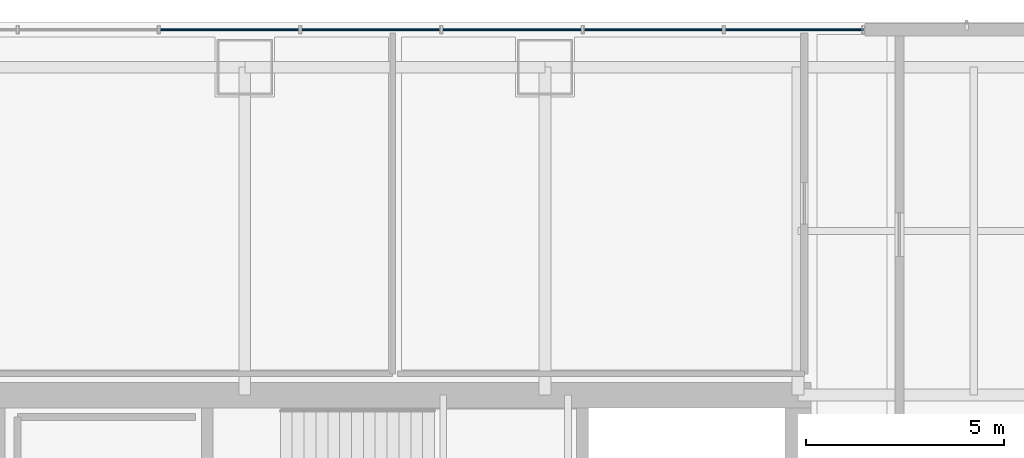
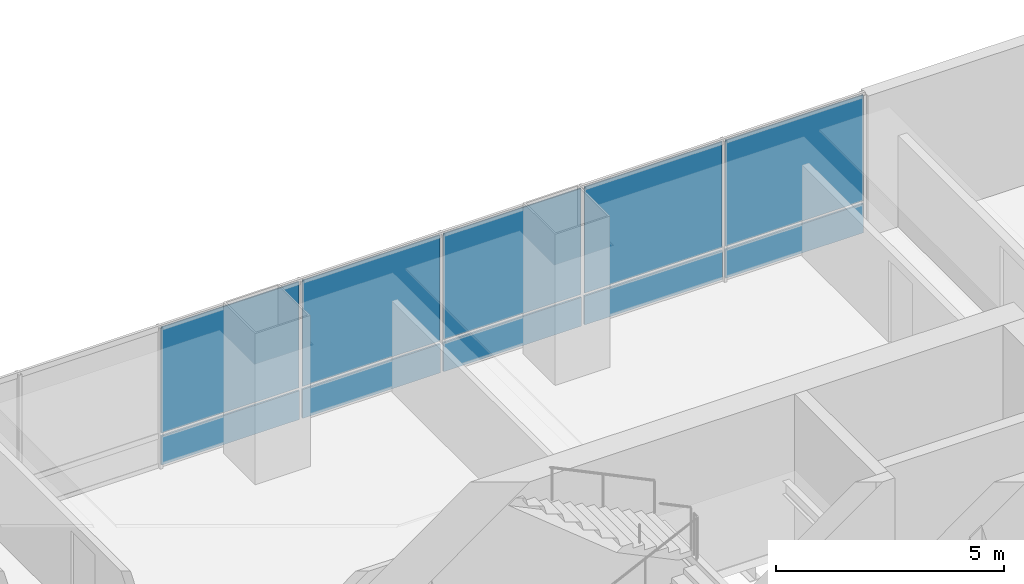
# One storey, part 29 of 46: 10 plates, 1 element without a shape of its own.
"""IFC4 building model written with IfcOpenShell, lengths in metres."""

from ifc_helpers import new_model, si_unit, direction, frame, origin, origin_2d, place, context, subcontext, project, spatial, rectangle, extrude, material, layer, layer_set, type_object, element, aggregate, save


model = new_model("IFC4")

# Units and contexts
model_context = context("Model", 3, precision=1e-05, world=origin(), true_north=direction((0.0, 1.0)))
body_context = subcontext(model_context, "Body", "Model", "MODEL_VIEW")
ifc_project = project(units=[si_unit("LENGTHUNIT", "METRE"), si_unit("AREAUNIT", "SQUARE_METRE"), si_unit("VOLUMEUNIT", "CUBIC_METRE"), si_unit("PLANEANGLEUNIT", "RADIAN"), si_unit("MASSUNIT", "GRAM", prefix="KILO")], contexts=[model_context])

# Site, building, storey
site_placement = place(None, origin())
site = spatial("IfcSite", under=ifc_project, at=site_placement, CompositionType="ELEMENT")
building_placement = place(site_placement, origin())
building = spatial("IfcBuilding", under=site, at=building_placement, Name="Punatoya Terracotta Tower", CompositionType="ELEMENT")
storey_placement = place(building_placement, frame((0.0, 0.0, 200.550048828125)))
storey = spatial("IfcBuildingStorey", under=building, at=storey_placement, Name="L47", CompositionType="ELEMENT", Elevation=200.550048828125)

# Curtain wall, plates
ifc_material_1 = material(Name="Aluminium 6063-T6 + Double Low-E Glass", Category="aluminium")
curtain_wall_type = type_object("IfcCurtainWallType", Name="CW-M2", PredefinedType="NOTDEFINED", material=ifc_material_1)
curtain_wall_placement = place(storey_placement, origin())
curtain_wall = element("IfcCurtainWall", 1, at=curtain_wall_placement, inside=storey, type_object=curtain_wall_type, Name="L47 Curtain Wall CW-L47-N09-1", PredefinedType="NOTDEFINED")
ifc_material_2 = material(Name="Double Low-E Acoustic Vision Glass", Category="glass")
ifc_layer_1 = layer(ifc_material_2, 0.031982421875)
ifc_layer_set_1 = layer_set([ifc_layer_1], Name="Double Low-E Acoustic Vision Glass")
plate_type_1 = type_object("IfcPlateType", Name="PLT-GLZ-32", PredefinedType="CURTAIN_PANEL", material=ifc_layer_set_1)
plate_1_placement = place(storey_placement, frame((10.112548828125, 18.449951171875, 0.89013671875), z_axis=(0.0, 0.0, 1.0), x_axis=(-1.0, 0.0, 0.0)))
plate_1 = element("IfcPlate", 2, at=plate_1_placement, type_object=plate_type_1, Name="CW-L47-N09-1 Vision Glass Panel 1", PredefinedType="CURTAIN_PANEL", context=body_context, shape_type="SweptSolid", body=[
    extrude(rectangle(XDim=3.489990234375, YDim=0.031982421875, at=origin_2d()), origin(), (0.0, 0.0, 1.0), 2.840087890625),
])
plate_2_placement = place(storey_placement, frame((6.53759765625, 18.449951171875, 0.89013671875), z_axis=(0.0, 0.0, 1.0), x_axis=(-1.0, 0.0, 0.0)))
plate_2 = element("IfcPlate", 3, at=plate_2_placement, type_object=plate_type_1, Name="CW-L47-N09-1 Vision Glass Panel 2", PredefinedType="CURTAIN_PANEL", context=body_context, shape_type="SweptSolid", body=[
    extrude(rectangle(XDim=3.489990234375, YDim=0.031982421875, at=origin_2d()), origin(), (0.0, 0.0, 1.0), 2.840087890625),
])
plate_3_placement = place(storey_placement, frame((2.96240234375, 18.449951171875, 0.89013671875), z_axis=(0.0, 0.0, 1.0), x_axis=(-1.0, 0.0, 0.0)))
plate_3 = element("IfcPlate", 4, at=plate_3_placement, type_object=plate_type_1, Name="CW-L47-N09-1 Vision Glass Panel 3", PredefinedType="CURTAIN_PANEL", context=body_context, shape_type="SweptSolid", body=[
    extrude(rectangle(XDim=3.489990234375, YDim=0.031982421875, at=origin_2d()), origin(), (0.0, 0.0, 1.0), 2.840087890625),
])
plate_4_placement = place(storey_placement, frame((-0.612548828125, 18.449951171875, 0.89013671875), z_axis=(0.0, 0.0, 1.0), x_axis=(-1.0, 0.0, 0.0)))
plate_4 = element("IfcPlate", 5, at=plate_4_placement, type_object=plate_type_1, Name="CW-L47-N09-1 Vision Glass Panel 4", PredefinedType="CURTAIN_PANEL", context=body_context, shape_type="SweptSolid", body=[
    extrude(rectangle(XDim=3.489990234375, YDim=0.031982421875, at=origin_2d()), origin(), (0.0, 0.0, 1.0), 2.840087890625),
])
plate_5_placement = place(storey_placement, frame((-4.1875, 18.449951171875, 0.89013671875), z_axis=(0.0, 0.0, 1.0), x_axis=(-1.0, 0.0, 0.0)))
plate_5 = element("IfcPlate", 6, at=plate_5_placement, type_object=plate_type_1, Name="CW-L47-N09-1 Vision Glass Panel 5", PredefinedType="CURTAIN_PANEL", context=body_context, shape_type="SweptSolid", body=[
    extrude(rectangle(XDim=3.489990234375, YDim=0.031982421875, at=origin_2d()), origin(), (0.0, 0.0, 1.0), 2.840087890625),
])
ifc_material_3 = material(Name="Insulated Terracotta-Backed Spandrel Panel", Category="masonry")
ifc_layer_2 = layer(ifc_material_3, 0.044921875)
ifc_layer_set_2 = layer_set([ifc_layer_2], Name="Insulated Terracotta-Backed Spandrel Panel")
plate_type_2 = type_object("IfcPlateType", Name="PLT-SPN-45", PredefinedType="CURTAIN_PANEL", material=ifc_layer_set_2)
plate_6_placement = place(storey_placement, frame((10.112548828125, 18.449951171875, 0.0400390625), z_axis=(0.0, 0.0, 1.0), x_axis=(-1.0, 0.0, 0.0)))
plate_6 = element("IfcPlate", 7, at=plate_6_placement, type_object=plate_type_2, Name="CW-L47-N09-1 Terracotta Spandrel Panel 1", PredefinedType="CURTAIN_PANEL", context=body_context, shape_type="SweptSolid", body=[
    extrude(rectangle(XDim=3.489990234375, YDim=0.044921875, at=origin_2d()), origin(), (0.0, 0.0, 1.0), 0.77490234375),
])
plate_7_placement = place(storey_placement, frame((6.53759765625, 18.449951171875, 0.0400390625), z_axis=(0.0, 0.0, 1.0), x_axis=(-1.0, 0.0, 0.0)))
plate_7 = element("IfcPlate", 8, at=plate_7_placement, type_object=plate_type_2, Name="CW-L47-N09-1 Terracotta Spandrel Panel 2", PredefinedType="CURTAIN_PANEL", context=body_context, shape_type="SweptSolid", body=[
    extrude(rectangle(XDim=3.489990234375, YDim=0.044921875, at=origin_2d()), origin(), (0.0, 0.0, 1.0), 0.77490234375),
])
plate_8_placement = place(storey_placement, frame((2.96240234375, 18.449951171875, 0.0400390625), z_axis=(0.0, 0.0, 1.0), x_axis=(-1.0, 0.0, 0.0)))
plate_8 = element("IfcPlate", 9, at=plate_8_placement, type_object=plate_type_2, Name="CW-L47-N09-1 Terracotta Spandrel Panel 3", PredefinedType="CURTAIN_PANEL", context=body_context, shape_type="SweptSolid", body=[
    extrude(rectangle(XDim=3.489990234375, YDim=0.044921875, at=origin_2d()), origin(), (0.0, 0.0, 1.0), 0.77490234375),
])
plate_9_placement = place(storey_placement, frame((-0.612548828125, 18.449951171875, 0.0400390625), z_axis=(0.0, 0.0, 1.0), x_axis=(-1.0, 0.0, 0.0)))
plate_9 = element("IfcPlate", 10, at=plate_9_placement, type_object=plate_type_2, Name="CW-L47-N09-1 Terracotta Spandrel Panel 4", PredefinedType="CURTAIN_PANEL", context=body_context, shape_type="SweptSolid", body=[
    extrude(rectangle(XDim=3.489990234375, YDim=0.044921875, at=origin_2d()), origin(), (0.0, 0.0, 1.0), 0.77490234375),
])
plate_10_placement = place(storey_placement, frame((-4.1875, 18.449951171875, 0.0400390625), z_axis=(0.0, 0.0, 1.0), x_axis=(-1.0, 0.0, 0.0)))
plate_10 = element("IfcPlate", 11, at=plate_10_placement, type_object=plate_type_2, Name="CW-L47-N09-1 Terracotta Spandrel Panel 5", PredefinedType="CURTAIN_PANEL", context=body_context, shape_type="SweptSolid", body=[
    extrude(rectangle(XDim=3.489990234375, YDim=0.044921875, at=origin_2d()), origin(), (0.0, 0.0, 1.0), 0.77490234375),
])
aggregate(curtain_wall, [plate_6, plate_1, plate_7, plate_2, plate_8, plate_3, plate_9, plate_4, plate_10, plate_5])

save(model, "model.ifc")
